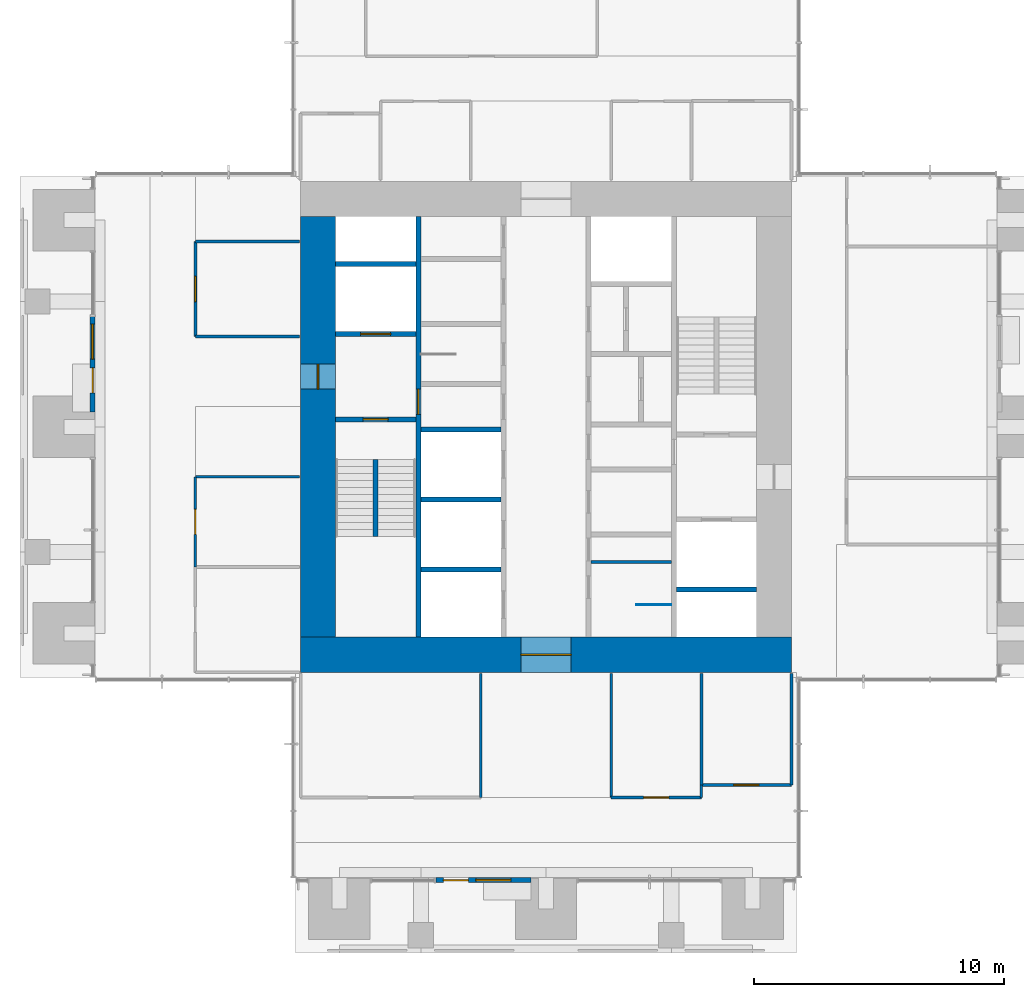
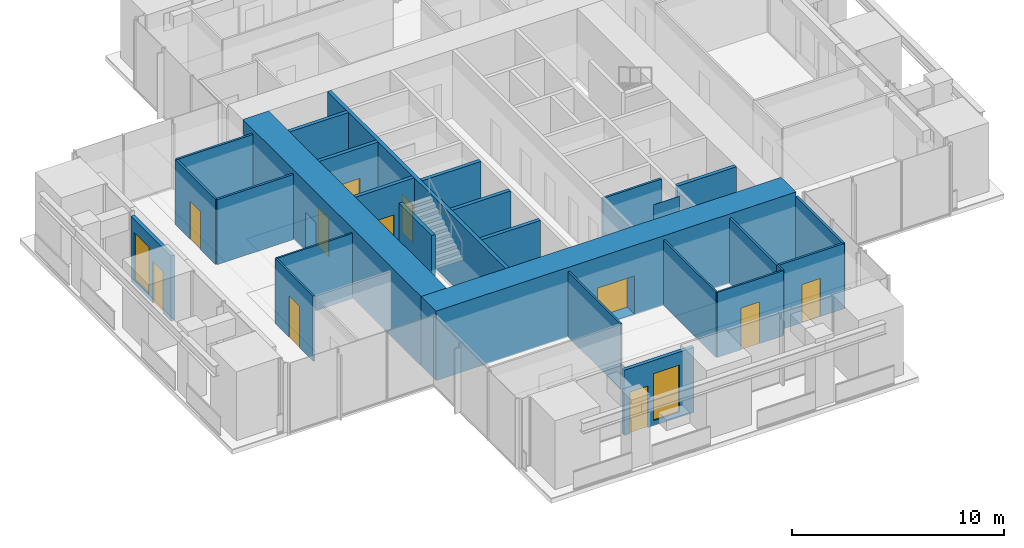
# One storey, part 12 of 17: 27 walls, 11 doors, 2 windows, 13 openings.
"""IFC4 building model written with IfcOpenShell, lengths in metres."""

from ifc_helpers import new_model, si_unit, direction, frame, frame_2d, origin, place, context, subcontext, project, spatial, rectangle, extrude, material, layer, layer_set, type_object, element, fill, save


model = new_model("IFC4")

# Units and contexts
model_context = context("Model", 3, precision=1e-05, world=origin(), true_north=direction((0.0, 1.0)))
body_context = subcontext(model_context, "Body", "Model", "MODEL_VIEW")
ifc_project = project(units=[si_unit("LENGTHUNIT", "METRE"), si_unit("AREAUNIT", "SQUARE_METRE"), si_unit("VOLUMEUNIT", "CUBIC_METRE"), si_unit("PLANEANGLEUNIT", "RADIAN"), si_unit("MASSUNIT", "GRAM", prefix="KILO")], contexts=[model_context])

# Site, building, storey
site_placement = place(None, origin())
site = spatial("IfcSite", under=ifc_project, at=site_placement, CompositionType="ELEMENT")
building_placement = place(site_placement, origin())
building = spatial("IfcBuilding", under=site, at=building_placement, Name="Svetlomir Tower", CompositionType="ELEMENT")
storey_placement = place(building_placement, frame((0.0, 0.0, 182.5)))
storey = spatial("IfcBuildingStorey", under=building, at=storey_placement, Name="L43", CompositionType="ELEMENT", Elevation=182.5)

# Wall, openings, door, window
ifc_material_1 = material(Name="Bronze anodised aluminium glazed screen", Category="aluminium")
ifc_layer_1 = layer(ifc_material_1, 0.199951171875)
ifc_layer_set_1 = layer_set([ifc_layer_1], Name="Bronze anodised aluminium glazed screen")
wall_type_1 = type_object("IfcWallType", Name="BALCONY SCREEN WALL 200", PredefinedType="USERDEFINED", material=ifc_layer_set_1)
wall_1_placement = place(storey_placement, frame((16.60009765625, 2.89990234375, 0.0), z_axis=(0.0, 0.0, 1.0), x_axis=(1.0, 0.0, 0.0)))
wall_1 = element("IfcWall", 1, at=wall_1_placement, inside=storey, type_object=wall_type_1, Name="Balcony screen S", ObjectType="GLAZED SCREEN", PredefinedType="USERDEFINED", context=body_context, shape_type="SweptSolid", body=[
    extrude(rectangle(XDim=3.7998046875, YDim=0.199951171875, at=frame_2d((1.89990234375, 0.0))), origin(), (0.0, 0.0, 1.0), 3.75),
])
opening_1_placement = place(wall_1_placement, frame((0.300048828125, 0.0, 0.0)))
opening_1 = element("IfcOpeningElement", 2, at=opening_1_placement, cuts=wall_1, Name="Opening BD", PredefinedType="OPENING", context=body_context, shape_type="SweptSolid", body=[
    extrude(rectangle(XDim=1.0, YDim=2.39990234375, at=frame_2d((0.5, 1.199951171875))), frame((0.0, 0.10986328125, 0.0), z_axis=(0.0, -1.0, 0.0), x_axis=(1.0, 0.0, 0.0)), (0.0, 0.0, 1.0), 0.219970703125),
])
opening_2_placement = place(wall_1_placement, frame((1.60009765625, 0.0, 0.300048828125)))
opening_2 = element("IfcOpeningElement", 3, at=opening_2_placement, cuts=wall_1, Name="Opening WS2", PredefinedType="OPENING", context=body_context, shape_type="SweptSolid", body=[
    extrude(rectangle(XDim=1.39990234375, YDim=2.699951171875, at=frame_2d((0.699951171875, 1.35009765625))), frame((0.0, 0.10986328125, 0.0), z_axis=(0.0, -1.0, 0.0), x_axis=(1.0, 0.0, 0.0)), (0.0, 0.0, 1.0), 0.219970703125),
])
ifc_material_2 = material(Name="Bronze anodised aluminium glazed door", Category="aluminium")
door_type_1 = type_object("IfcDoorType", Name="BALCONY DOOR BD 1000x2400", OperationType="SINGLE_SWING_LEFT", PredefinedType="DOOR", material=ifc_material_2)
door_1_placement = place(opening_1_placement, origin())
door_1 = element("IfcDoor", 4, at=door_1_placement, inside=storey, type_object=door_type_1, Name="Balcony screen S door", OperationType="SINGLE_SWING_LEFT", OverallHeight=2.39990234375, OverallWidth=1.0, PredefinedType="DOOR", context=body_context, shape_type="SweptSolid", body=[
    extrude(rectangle(XDim=1.0, YDim=2.39990234375, at=frame_2d((0.5, 1.199951171875))), frame((0.0, 0.02490234375, 0.0), z_axis=(0.0, -1.0, 0.0), x_axis=(1.0, 0.0, 0.0)), (0.0, 0.0, 1.0), 0.050048828125),
])
fill(opening_1, door_1)
ifc_material_3 = material(Name="Bronze anodised aluminium window", Category="aluminium")
window_type = type_object("IfcWindowType", Name="SCREEN WINDOW WS2 1400x2700", PartitioningType="SINGLE_PANEL", PredefinedType="WINDOW", material=ifc_material_3)
window_1_placement = place(opening_2_placement, origin())
window_1 = element("IfcWindow", 5, at=window_1_placement, inside=storey, type_object=window_type, Name="Balcony screen S window 1", OverallHeight=2.699951171875, OverallWidth=1.39990234375, PartitioningType="SINGLE_PANEL", PredefinedType="WINDOW", context=body_context, shape_type="SweptSolid", body=[
    extrude(rectangle(XDim=1.39990234375, YDim=2.699951171875, at=frame_2d((0.699951171875, 1.35009765625))), frame((0.0, 0.030029296875, 0.0), z_axis=(0.0, -1.0, 0.0), x_axis=(1.0, 0.0, 0.0)), (0.0, 0.0, 1.0), 0.06005859375),
])
fill(opening_2, window_1)

wall_2_placement = place(storey_placement, frame((2.89990234375, 25.39990234375, 0.0), z_axis=(0.0, 0.0, 1.0), x_axis=(0.0, -1.0, 0.0)))
wall_2 = element("IfcWall", 6, at=wall_2_placement, inside=storey, type_object=wall_type_1, Name="Balcony screen W", ObjectType="GLAZED SCREEN", PredefinedType="USERDEFINED", context=body_context, shape_type="SweptSolid", body=[
    extrude(rectangle(XDim=3.7998046875, YDim=0.199951171875, at=frame_2d((1.89990234375, 0.0))), origin(), (0.0, 0.0, 1.0), 3.75),
])
opening_3_placement = place(wall_2_placement, frame((2.050048828125, 0.0, 0.0)))
opening_3 = element("IfcOpeningElement", 7, at=opening_3_placement, cuts=wall_2, Name="Opening BD", PredefinedType="OPENING", context=body_context, shape_type="SweptSolid", body=[
    extrude(rectangle(XDim=1.0, YDim=2.39990234375, at=frame_2d((0.5, 1.199951171875))), frame((0.0, 0.10986328125, 0.0), z_axis=(0.0, -1.0, 0.0), x_axis=(1.0, 0.0, 0.0)), (0.0, 0.0, 1.0), 0.219970703125),
])
opening_4_placement = place(wall_2_placement, frame((0.300048828125, 0.0, 0.300048828125)))
opening_4 = element("IfcOpeningElement", 8, at=opening_4_placement, cuts=wall_2, Name="Opening WS2", PredefinedType="OPENING", context=body_context, shape_type="SweptSolid", body=[
    extrude(rectangle(XDim=1.39990234375, YDim=2.699951171875, at=frame_2d((0.699951171875, 1.35009765625))), frame((0.0, 0.10986328125, 0.0), z_axis=(0.0, -1.0, 0.0), x_axis=(1.0, 0.0, 0.0)), (0.0, 0.0, 1.0), 0.219970703125),
])
door_2_placement = place(opening_3_placement, origin())
door_2 = element("IfcDoor", 9, at=door_2_placement, inside=storey, type_object=door_type_1, Name="Balcony screen W door", OperationType="SINGLE_SWING_LEFT", OverallHeight=2.39990234375, OverallWidth=1.0, PredefinedType="DOOR", context=body_context, shape_type="SweptSolid", body=[
    extrude(rectangle(XDim=1.0, YDim=2.39990234375, at=frame_2d((0.5, 1.199951171875))), frame((0.0, 0.02490234375, 0.0), z_axis=(0.0, -1.0, 0.0), x_axis=(1.0, 0.0, 0.0)), (0.0, 0.0, 1.0), 0.050048828125),
])
fill(opening_3, door_2)
window_2_placement = place(opening_4_placement, origin())
window_2 = element("IfcWindow", 10, at=window_2_placement, inside=storey, type_object=window_type, Name="Balcony screen W window 1", OverallHeight=2.699951171875, OverallWidth=1.39990234375, PartitioningType="SINGLE_PANEL", PredefinedType="WINDOW", context=body_context, shape_type="SweptSolid", body=[
    extrude(rectangle(XDim=1.39990234375, YDim=2.699951171875, at=frame_2d((0.699951171875, 1.35009765625))), frame((0.0, 0.030029296875, 0.0), z_axis=(0.0, -1.0, 0.0), x_axis=(1.0, 0.0, 0.0)), (0.0, 0.0, 1.0), 0.06005859375),
])
fill(opening_4, window_2)

# Wall, opening, door
ifc_material_4 = material(Name="Concrete C60/75", Category="concrete")
ifc_layer_2 = layer(ifc_material_4, 0.199951171875)
ifc_layer_set_2 = layer_set([ifc_layer_2], Name="Concrete C60/75")
wall_type_2 = type_object("IfcWallType", Name="CORE INNER WALL 200", PredefinedType="SHEAR", material=ifc_layer_set_2)
wall_3_placement = place(storey_placement, frame((15.89990234375, 12.60009765625, -0.050048828125), z_axis=(0.0, 0.0, 1.0), x_axis=(0.0, 1.0, 0.0)))
wall_3 = element("IfcWall", 11, at=wall_3_placement, inside=storey, type_object=wall_type_2, Name="Core inner wall 15.9 L43", PredefinedType="SHEAR", context=body_context, shape_type="SweptSolid", body=[
    extrude(rectangle(XDim=16.7998046875, YDim=0.199951171875, at=frame_2d((8.39990234375, 0.0))), origin(), (0.0, 0.0, 1.0), 4.0),
])
opening_5_placement = place(wall_3_placement, frame((8.89990234375, 0.0, 0.050048828125)))
opening_5 = element("IfcOpeningElement", 12, at=opening_5_placement, cuts=wall_3, Name="Opening DF", PredefinedType="OPENING", context=body_context, shape_type="SweptSolid", body=[
    extrude(rectangle(XDim=1.0, YDim=2.199951171875, at=frame_2d((0.5, 1.10009765625))), frame((0.0, 0.10986328125, 0.0), z_axis=(0.0, -1.0, 0.0), x_axis=(1.0, 0.0, 0.0)), (0.0, 0.0, 1.0), 0.219970703125),
])
ifc_material_5 = material(Name="Steel fire door", Category="steel")
door_type_2 = type_object("IfcDoorType", Name="DOOR DF 1000x2200", OperationType="SINGLE_SWING_LEFT", PredefinedType="DOOR", material=ifc_material_5)
door_3_placement = place(opening_5_placement, origin())
door_3 = element("IfcDoor", 13, at=door_3_placement, inside=storey, type_object=door_type_2, Name="Core corridor west door L43", OperationType="SINGLE_SWING_LEFT", OverallHeight=2.199951171875, OverallWidth=1.0, PredefinedType="DOOR", context=body_context, shape_type="SweptSolid", body=[
    extrude(rectangle(XDim=1.0, YDim=2.199951171875, at=frame_2d((0.5, 1.10009765625))), frame((0.0, 0.02490234375, 0.0), z_axis=(0.0, -1.0, 0.0), x_axis=(1.0, 0.0, 0.0)), (0.0, 0.0, 1.0), 0.050048828125),
])
fill(opening_5, door_3)

wall_4_placement = place(storey_placement, frame((12.60009765625, 21.300048828125, -0.050048828125), z_axis=(0.0, 0.0, 1.0), x_axis=(1.0, 0.0, 0.0)))
wall_4 = element("IfcWall", 14, at=wall_4_placement, inside=storey, type_object=wall_type_2, Name="Core inner wall 12.6-15.8/21.3 L43", PredefinedType="SHEAR", context=body_context, shape_type="SweptSolid", body=[
    extrude(rectangle(XDim=3.199951171875, YDim=0.199951171875, at=frame_2d((1.60009765625, 0.0))), origin(), (0.0, 0.0, 1.0), 4.0),
])
opening_6_placement = place(wall_4_placement, frame((1.10009765625, 0.0, 0.050048828125)))
opening_6 = element("IfcOpeningElement", 15, at=opening_6_placement, cuts=wall_4, Name="Opening DF", PredefinedType="OPENING", context=body_context, shape_type="SweptSolid", body=[
    extrude(rectangle(XDim=1.0, YDim=2.199951171875, at=frame_2d((0.5, 1.10009765625))), frame((0.0, 0.10986328125, 0.0), z_axis=(0.0, -1.0, 0.0), x_axis=(1.0, 0.0, 0.0)), (0.0, 0.0, 1.0), 0.219970703125),
])
door_4_placement = place(opening_6_placement, origin())
door_4 = element("IfcDoor", 16, at=door_4_placement, inside=storey, type_object=door_type_2, Name="Stair S1 door L43", OperationType="SINGLE_SWING_RIGHT", OverallHeight=2.199951171875, OverallWidth=1.0, PredefinedType="DOOR", context=body_context, shape_type="SweptSolid", body=[
    extrude(rectangle(XDim=1.0, YDim=2.199951171875, at=frame_2d((0.5, 1.10009765625))), frame((0.0, 0.02490234375, 0.0), z_axis=(0.0, -1.0, 0.0), x_axis=(1.0, 0.0, 0.0)), (0.0, 0.0, 1.0), 0.050048828125),
])
fill(opening_6, door_4)

wall_5_placement = place(storey_placement, frame((12.60009765625, 24.699951171875, -0.050048828125), z_axis=(0.0, 0.0, 1.0), x_axis=(1.0, 0.0, 0.0)))
wall_5 = element("IfcWall", 17, at=wall_5_placement, inside=storey, type_object=wall_type_2, Name="Core inner wall 12.6-15.8/24.7 L43", PredefinedType="SHEAR", context=body_context, shape_type="SweptSolid", body=[
    extrude(rectangle(XDim=3.199951171875, YDim=0.199951171875, at=frame_2d((1.60009765625, 0.0))), origin(), (0.0, 0.0, 1.0), 4.0),
])
opening_7_placement = place(wall_5_placement, frame((1.0, 0.0, 0.050048828125)))
opening_7 = element("IfcOpeningElement", 18, at=opening_7_placement, cuts=wall_5, Name="Opening LD3", PredefinedType="OPENING", context=body_context, shape_type="SweptSolid", body=[
    extrude(rectangle(XDim=1.199951171875, YDim=2.199951171875, at=frame_2d((0.60009765625, 1.10009765625))), frame((0.0, 0.10986328125, 0.0), z_axis=(0.0, -1.0, 0.0), x_axis=(1.0, 0.0, 0.0)), (0.0, 0.0, 1.0), 0.219970703125),
])
ifc_material_6 = material(Name="Stainless steel fire-rated landing door", Category="steel")
door_type_3 = type_object("IfcDoorType", Name="FIREFIGHTING LIFT LANDING DOOR LD3 1200x2200", OperationType="DOUBLE_DOOR_SLIDING", PredefinedType="DOOR", material=ifc_material_6)
door_5_placement = place(opening_7_placement, origin())
door_5 = element("IfcDoor", 19, at=door_5_placement, inside=storey, type_object=door_type_3, Name="Landing door lift FL1 L43", OperationType="DOUBLE_DOOR_SLIDING", OverallHeight=2.199951171875, OverallWidth=1.199951171875, PredefinedType="DOOR", context=body_context, shape_type="SweptSolid", body=[
    extrude(rectangle(XDim=1.199951171875, YDim=2.199951171875, at=frame_2d((0.60009765625, 1.10009765625))), frame((0.0, 0.02490234375, 0.0), z_axis=(0.0, -1.0, 0.0), x_axis=(1.0, 0.0, 0.0)), (0.0, 0.0, 1.0), 0.050048828125),
])
fill(opening_7, door_5)

# Walls
for number, where, z_axis, x_axis, name in (
    (20, (12.60009765625, 27.5, -0.050048828125), (0.0, 0.0, 1.0), (1.0, 0.0, 0.0), "Core inner wall 12.6-15.8/27.5 L43"),
    (21, (16.0, 15.300048828125, -0.050048828125), (0.0, 0.0, 1.0), (1.0, 0.0, 0.0), "Core inner wall 16-19.2/15.3 L43"),
    (22, (16.0, 18.10009765625, -0.050048828125), (0.0, 0.0, 1.0), (1.0, 0.0, 0.0), "Core inner wall 16-19.2/18.1 L43"),
    (23, (16.0, 20.89990234375, -0.050048828125), (0.0, 0.0, 1.0), (1.0, 0.0, 0.0), "Core inner wall 16-19.2/20.9 L43"),
    (24, (26.199951171875, 14.5, -0.050048828125), (0.0, 0.0, 1.0), (1.0, 0.0, 0.0), "Core inner wall 26.2-29.4/14.5 L43"),
):
    element("IfcWall", number, at=place(storey_placement, frame(where, z_axis=z_axis, x_axis=x_axis)), inside=storey, type_object=wall_type_2, Name=name, PredefinedType="SHEAR", context=body_context, shape_type="SweptSolid", body=[
        extrude(rectangle(XDim=3.199951171875, YDim=0.199951171875, at=frame_2d((1.60009765625, 0.0))), origin(), (0.0, 0.0, 1.0), 4.0),
    ])

# Wall, opening, door
ifc_material_7 = material(Name="Concrete C60/75", Category="concrete")
ifc_layer_3 = layer(ifc_material_7, 1.39990234375)
ifc_layer_set_3 = layer_set([ifc_layer_3], Name="Concrete C60/75")
wall_type_3 = type_object("IfcWallType", Name="CORE WALL 1400", PredefinedType="SHEAR", material=ifc_layer_set_3)
wall_6_placement = place(storey_placement, frame((11.199951171875, 11.89990234375, -0.050048828125), z_axis=(0.0, 0.0, 1.0), x_axis=(1.0, 0.0, 0.0)))
wall_6 = element("IfcWall", 25, at=wall_6_placement, inside=storey, type_object=wall_type_3, Name="Core wall south L43", PredefinedType="SHEAR", context=body_context, shape_type="SweptSolid", body=[
    extrude(rectangle(XDim=19.60009765625, YDim=1.39990234375, at=frame_2d((9.800048828125, 0.0))), origin(), (0.0, 0.0, 1.0), 4.0),
])
opening_8_placement = place(wall_6_placement, frame((8.800048828125, 0.0, 0.050048828125)))
opening_8 = element("IfcOpeningElement", 26, at=opening_8_placement, cuts=wall_6, Name="Opening DL", PredefinedType="OPENING", context=body_context, shape_type="SweptSolid", body=[
    extrude(rectangle(XDim=2.0, YDim=2.199951171875, at=frame_2d((1.0, 1.10009765625))), frame((0.0, 0.7099609375, 0.0), z_axis=(0.0, -1.0, 0.0), x_axis=(1.0, 0.0, 0.0)), (0.0, 0.0, 1.0), 1.419921875),
])
ifc_material_8 = material(Name="Steel fire door", Category="steel")
door_type_4 = type_object("IfcDoorType", Name="DOOR DL 2000x2200", OperationType="DOUBLE_DOOR_SINGLE_SWING", PredefinedType="DOOR", material=ifc_material_8)
door_6_placement = place(opening_8_placement, origin())
door_6 = element("IfcDoor", 27, at=door_6_placement, inside=storey, type_object=door_type_4, Name="Lift lobby south door L43", OperationType="DOUBLE_DOOR_SINGLE_SWING", OverallHeight=2.199951171875, OverallWidth=2.0, PredefinedType="DOOR", context=body_context, shape_type="SweptSolid", body=[
    extrude(rectangle(XDim=2.0, YDim=2.199951171875, at=frame_2d((1.0, 1.10009765625))), frame((0.0, 0.02490234375, 0.0), z_axis=(0.0, -1.0, 0.0), x_axis=(1.0, 0.0, 0.0)), (0.0, 0.0, 1.0), 0.050048828125),
])
fill(opening_8, door_6)

wall_7_placement = place(storey_placement, frame((11.89990234375, 12.60009765625, -0.050048828125), z_axis=(0.0, 0.0, 1.0), x_axis=(0.0, 1.0, 0.0)))
wall_7 = element("IfcWall", 28, at=wall_7_placement, inside=storey, type_object=wall_type_3, Name="Core wall west L43", PredefinedType="SHEAR", context=body_context, shape_type="SweptSolid", body=[
    extrude(rectangle(XDim=16.7998046875, YDim=1.39990234375, at=frame_2d((8.39990234375, 0.0))), origin(), (0.0, 0.0, 1.0), 4.0),
])
opening_9_placement = place(wall_7_placement, frame((9.89990234375, 0.0, 0.050048828125)))
opening_9 = element("IfcOpeningElement", 29, at=opening_9_placement, cuts=wall_7, Name="Opening DF", PredefinedType="OPENING", context=body_context, shape_type="SweptSolid", body=[
    extrude(rectangle(XDim=1.0, YDim=2.199951171875, at=frame_2d((0.5, 1.10009765625))), frame((0.0, 0.7099609375, 0.0), z_axis=(0.0, -1.0, 0.0), x_axis=(1.0, 0.0, 0.0)), (0.0, 0.0, 1.0), 1.419921875),
])
door_7_placement = place(opening_9_placement, origin())
door_7 = element("IfcDoor", 30, at=door_7_placement, inside=storey, type_object=door_type_2, Name="Firefighting lobby west door L43", OperationType="SINGLE_SWING_RIGHT", OverallHeight=2.199951171875, OverallWidth=1.0, PredefinedType="DOOR", context=body_context, shape_type="SweptSolid", body=[
    extrude(rectangle(XDim=1.0, YDim=2.199951171875, at=frame_2d((0.5, 1.10009765625))), frame((0.0, 0.02490234375, 0.0), z_axis=(0.0, -1.0, 0.0), x_axis=(1.0, 0.0, 0.0)), (0.0, 0.0, 1.0), 0.050048828125),
])
fill(opening_9, door_7)

ifc_material_9 = material(Name="Framed laminated glass partition", Category="glass")
ifc_layer_4 = layer(ifc_material_9, 0.10009765625)
ifc_layer_set_4 = layer_set([ifc_layer_4], Name="Framed laminated glass partition")
wall_type_4 = type_object("IfcWallType", Name="GLAZED PARTITION 100", PredefinedType="PARTITIONING", material=ifc_layer_set_4)
wall_8_placement = place(storey_placement, frame((7.0, 15.39990234375, 0.0), z_axis=(0.0, 0.0, 1.0), x_axis=(0.0, 1.0, 0.0)))
wall_8 = element("IfcWall", 31, at=wall_8_placement, inside=storey, type_object=wall_type_4, Name="Glazed partition L43", PredefinedType="PARTITIONING", context=body_context, shape_type="SweptSolid", body=[
    extrude(rectangle(XDim=3.60009765625, YDim=0.10009765625, at=frame_2d((1.800048828125, 0.0))), origin(), (0.0, 0.0, 1.0), 3.75),
])
opening_10_placement = place(wall_8_placement, frame((1.300048828125, 0.0, 0.0)))
opening_10 = element("IfcOpeningElement", 32, at=opening_10_placement, cuts=wall_8, Name="Opening DG", PredefinedType="OPENING", context=body_context, shape_type="SweptSolid", body=[
    extrude(rectangle(XDim=1.0, YDim=2.39990234375, at=frame_2d((0.5, 1.199951171875))), frame((0.0, 0.06005859375, 0.0), z_axis=(0.0, -1.0, 0.0), x_axis=(1.0, 0.0, 0.0)), (0.0, 0.0, 1.0), 0.1201171875),
])
ifc_material_10 = material(Name="Framed laminated glass door", Category="glass")
door_type_5 = type_object("IfcDoorType", Name="GLAZED DOOR DG 1000x2400", OperationType="SINGLE_SWING_LEFT", PredefinedType="DOOR", material=ifc_material_10)
door_8_placement = place(opening_10_placement, origin())
door_8 = element("IfcDoor", 33, at=door_8_placement, inside=storey, type_object=door_type_5, Name="Focus room 2 door L43", OperationType="SINGLE_SWING_LEFT", OverallHeight=2.39990234375, OverallWidth=1.0, PredefinedType="DOOR", context=body_context, shape_type="SweptSolid", body=[
    extrude(rectangle(XDim=1.0, YDim=2.39990234375, at=frame_2d((0.5, 1.199951171875))), frame((0.0, 0.02490234375, 0.0), z_axis=(0.0, -1.0, 0.0), x_axis=(1.0, 0.0, 0.0)), (0.0, 0.0, 1.0), 0.050048828125),
])
fill(opening_10, door_8)

# Walls
wall_9_placement = place(storey_placement, frame((7.0, 19.0, 0.0), z_axis=(0.0, 0.0, 1.0), x_axis=(1.0, 0.0, 0.0)))
element("IfcWall", 34, at=wall_9_placement, inside=storey, type_object=wall_type_4, Name="Glazed partition L43", PredefinedType="PARTITIONING", context=body_context, shape_type="SweptSolid", body=[
    extrude(rectangle(XDim=4.14990234375, YDim=0.10009765625, at=frame_2d((2.074951171875, 0.0))), origin(), (0.0, 0.0, 1.0), 3.75),
])
for number, where, z_axis, x_axis, name in (
    (35, (18.39990234375, 6.199951171875, 0.0), (0.0, 0.0, 1.0), (0.0, 1.0, 0.0), "Glazed partition L43"),
    (36, (23.60009765625, 6.199951171875, 0.0), (0.0, 0.0, 1.0), (0.0, 1.0, 0.0), "Glazed partition L43"),
):
    element("IfcWall", number, at=place(storey_placement, frame(where, z_axis=z_axis, x_axis=x_axis)), inside=storey, type_object=wall_type_4, Name=name, PredefinedType="PARTITIONING", context=body_context, shape_type="SweptSolid", body=[
        extrude(rectangle(XDim=4.949951171875, YDim=0.10009765625, at=frame_2d((2.47509765625, 0.0))), origin(), (0.0, 0.0, 1.0), 3.75),
    ])

# Wall, opening, door
wall_10_placement = place(storey_placement, frame((23.60009765625, 6.199951171875, 0.0), z_axis=(0.0, 0.0, 1.0), x_axis=(1.0, 0.0, 0.0)))
wall_10 = element("IfcWall", 37, at=wall_10_placement, inside=storey, type_object=wall_type_4, Name="Glazed partition L43", PredefinedType="PARTITIONING", context=body_context, shape_type="SweptSolid", body=[
    extrude(rectangle(XDim=3.599853515625, YDim=0.10009765625, at=frame_2d((1.7998046875, 0.0))), origin(), (0.0, 0.0, 1.0), 3.75),
])
opening_11_placement = place(wall_10_placement, frame((1.300048828125, 0.0, 0.0)))
opening_11 = element("IfcOpeningElement", 38, at=opening_11_placement, cuts=wall_10, Name="Opening DG", PredefinedType="OPENING", context=body_context, shape_type="SweptSolid", body=[
    extrude(rectangle(XDim=1.0, YDim=2.39990234375, at=frame_2d((0.5, 1.199951171875))), frame((0.0, 0.06005859375, 0.0), z_axis=(0.0, -1.0, 0.0), x_axis=(1.0, 0.0, 0.0)), (0.0, 0.0, 1.0), 0.1201171875),
])
door_9_placement = place(opening_11_placement, origin())
door_9 = element("IfcDoor", 39, at=door_9_placement, inside=storey, type_object=door_type_5, Name="Focus room 1 door L43", OperationType="SINGLE_SWING_RIGHT", OverallHeight=2.39990234375, OverallWidth=1.0, PredefinedType="DOOR", context=body_context, shape_type="SweptSolid", body=[
    extrude(rectangle(XDim=1.0, YDim=2.39990234375, at=frame_2d((0.5, 1.199951171875))), frame((0.0, 0.02490234375, 0.0), z_axis=(0.0, -1.0, 0.0), x_axis=(1.0, 0.0, 0.0)), (0.0, 0.0, 1.0), 0.050048828125),
])
fill(opening_11, door_9)

# Walls
wall_11_placement = place(storey_placement, frame((27.199951171875, 6.199951171875, 0.0), z_axis=(0.0, 0.0, 1.0), x_axis=(0.0, 1.0, 0.0)))
element("IfcWall", 40, at=wall_11_placement, inside=storey, type_object=wall_type_4, Name="Glazed partition L43", PredefinedType="PARTITIONING", context=body_context, shape_type="SweptSolid", body=[
    extrude(rectangle(XDim=0.5, YDim=0.10009765625, at=frame_2d((0.25, 0.0))), origin(), (0.0, 0.0, 1.0), 3.75),
])
ifc_material_11 = material(Name="Gypsum board on steel studs", Category="steel")
ifc_layer_5 = layer(ifc_material_11, 0.1201171875)
ifc_layer_set_5 = layer_set([ifc_layer_5], Name="Gypsum board on steel studs")
wall_type_5 = type_object("IfcWallType", Name="PARTITION 120", PredefinedType="PARTITIONING", material=ifc_layer_set_5)
wall_12_placement = place(storey_placement, frame((22.800048828125, 15.60009765625, 0.0), z_axis=(0.0, 0.0, 1.0), x_axis=(1.0, 0.0, 0.0)))
element("IfcWall", 41, at=wall_12_placement, inside=storey, type_object=wall_type_5, Name="Shower room partition L43", PredefinedType="PARTITIONING", context=body_context, shape_type="SweptSolid", body=[
    extrude(rectangle(XDim=3.199951171875, YDim=0.1201171875, at=frame_2d((1.60009765625, 0.0))), origin(), (0.0, 0.0, 1.0), 3.75),
])

# Wall, opening, door
wall_13_placement = place(storey_placement, frame((7.0, 24.60009765625, 0.0), z_axis=(0.0, 0.0, 1.0), x_axis=(0.0, 1.0, 0.0)))
wall_13 = element("IfcWall", 42, at=wall_13_placement, inside=storey, type_object=wall_type_5, Name="Partition L43", PredefinedType="PARTITIONING", context=body_context, shape_type="SweptSolid", body=[
    extrude(rectangle(XDim=3.7998046875, YDim=0.1201171875, at=frame_2d((1.89990234375, 0.0))), origin(), (0.0, 0.0, 1.0), 3.75),
])
opening_12_placement = place(wall_13_placement, frame((1.39990234375, 0.0, 0.0)))
opening_12 = element("IfcOpeningElement", 43, at=opening_12_placement, cuts=wall_13, Name="Opening DR", PredefinedType="OPENING", context=body_context, shape_type="SweptSolid", body=[
    extrude(rectangle(XDim=1.0, YDim=2.199951171875, at=frame_2d((0.5, 1.10009765625))), frame((0.0, 0.070068359375, 0.0), z_axis=(0.0, -1.0, 0.0), x_axis=(1.0, 0.0, 0.0)), (0.0, 0.0, 1.0), 0.14013671875),
])
ifc_material_12 = material(Name="Timber door, glazed side light", Category="wood")
door_type_6 = type_object("IfcDoorType", Name="DOOR DR 1000x2200", OperationType="SINGLE_SWING_LEFT", PredefinedType="DOOR", material=ifc_material_12)
door_10_placement = place(opening_12_placement, origin())
door_10 = element("IfcDoor", 44, at=door_10_placement, inside=storey, type_object=door_type_6, Name="Data analysts office door L43", OperationType="SINGLE_SWING_RIGHT", OverallHeight=2.199951171875, OverallWidth=1.0, PredefinedType="DOOR", context=body_context, shape_type="SweptSolid", body=[
    extrude(rectangle(XDim=1.0, YDim=2.199951171875, at=frame_2d((0.5, 1.10009765625))), frame((0.0, 0.02490234375, 0.0), z_axis=(0.0, -1.0, 0.0), x_axis=(1.0, 0.0, 0.0)), (0.0, 0.0, 1.0), 0.050048828125),
])
fill(opening_12, door_10)

# Walls
for number, where, z_axis, x_axis, name in (
    (45, (7.0, 24.60009765625, 0.0), (0.0, 0.0, 1.0), (1.0, 0.0, 0.0), "Partition L43"),
    (46, (7.0, 28.39990234375, 0.0), (0.0, 0.0, 1.0), (1.0, 0.0, 0.0), "Partition L43"),
):
    element("IfcWall", number, at=place(storey_placement, frame(where, z_axis=z_axis, x_axis=x_axis)), inside=storey, type_object=wall_type_5, Name=name, PredefinedType="PARTITIONING", context=body_context, shape_type="SweptSolid", body=[
        extrude(rectangle(XDim=4.14990234375, YDim=0.1201171875, at=frame_2d((2.074951171875, 0.0))), origin(), (0.0, 0.0, 1.0), 3.75),
    ])
wall_14_placement = place(storey_placement, frame((27.199951171875, 6.699951171875, 0.0), z_axis=(0.0, 0.0, 1.0), x_axis=(0.0, 1.0, 0.0)))
element("IfcWall", 47, at=wall_14_placement, inside=storey, type_object=wall_type_5, Name="Partition L43", PredefinedType="PARTITIONING", context=body_context, shape_type="SweptSolid", body=[
    extrude(rectangle(XDim=4.449951171875, YDim=0.1201171875, at=frame_2d((2.22509765625, 0.0))), origin(), (0.0, 0.0, 1.0), 3.75),
])

# Wall, opening, door
wall_15_placement = place(storey_placement, frame((27.199951171875, 6.699951171875, 0.0), z_axis=(0.0, 0.0, 1.0), x_axis=(1.0, 0.0, 0.0)))
wall_15 = element("IfcWall", 48, at=wall_15_placement, inside=storey, type_object=wall_type_5, Name="Partition L43", PredefinedType="PARTITIONING", context=body_context, shape_type="SweptSolid", body=[
    extrude(rectangle(XDim=3.60009765625, YDim=0.1201171875, at=frame_2d((1.800048828125, 0.0))), origin(), (0.0, 0.0, 1.0), 3.75),
])
opening_13_placement = place(wall_15_placement, frame((1.300048828125, 0.0, 0.0)))
opening_13 = element("IfcOpeningElement", 49, at=opening_13_placement, cuts=wall_15, Name="Opening DR", PredefinedType="OPENING", context=body_context, shape_type="SweptSolid", body=[
    extrude(rectangle(XDim=1.0, YDim=2.199951171875, at=frame_2d((0.5, 1.10009765625))), frame((0.0, 0.070068359375, 0.0), z_axis=(0.0, -1.0, 0.0), x_axis=(1.0, 0.0, 0.0)), (0.0, 0.0, 1.0), 0.14013671875),
])
door_11_placement = place(opening_13_placement, origin())
door_11 = element("IfcDoor", 50, at=door_11_placement, inside=storey, type_object=door_type_6, Name="Print and copy room door L43", OperationType="SINGLE_SWING_LEFT", OverallHeight=2.199951171875, OverallWidth=1.0, PredefinedType="DOOR", context=body_context, shape_type="SweptSolid", body=[
    extrude(rectangle(XDim=1.0, YDim=2.199951171875, at=frame_2d((0.5, 1.10009765625))), frame((0.0, 0.02490234375, 0.0), z_axis=(0.0, -1.0, 0.0), x_axis=(1.0, 0.0, 0.0)), (0.0, 0.0, 1.0), 0.050048828125),
])
fill(opening_13, door_11)

# Walls
wall_16_placement = place(storey_placement, frame((30.800048828125, 6.699951171875, 0.0), z_axis=(0.0, 0.0, 1.0), x_axis=(0.0, 1.0, 0.0)))
element("IfcWall", 51, at=wall_16_placement, inside=storey, type_object=wall_type_5, Name="Partition L43", PredefinedType="PARTITIONING", context=body_context, shape_type="SweptSolid", body=[
    extrude(rectangle(XDim=4.449951171875, YDim=0.1201171875, at=frame_2d((2.22509765625, 0.0))), origin(), (0.0, 0.0, 1.0), 3.75),
])
ifc_material_13 = material(Name="Concrete C60/75", Category="concrete")
ifc_layer_6 = layer(ifc_material_13, 0.199951171875)
ifc_layer_set_6 = layer_set([ifc_layer_6], Name="Concrete C60/75")
wall_type_6 = type_object("IfcWallType", Name="STAIR SPINE WALL 200", PredefinedType="PARTITIONING", material=ifc_layer_set_6)
wall_17_placement = place(storey_placement, frame((14.199951171875, 16.6201171875, 0.0), z_axis=(0.0, 0.0, 1.0), x_axis=(0.0, 1.0, 0.0)))
element("IfcWall", 52, at=wall_17_placement, inside=storey, type_object=wall_type_6, Name="Stair S1 spine wall L43", PredefinedType="PARTITIONING", context=body_context, shape_type="SweptSolid", body=[
    extrude(rectangle(XDim=3.079833984375, YDim=0.199951171875, at=frame_2d((1.5400390625, 0.0))), origin(), (0.0, 0.0, 1.0), 4.0),
])
ifc_material_14 = material(Name="Compact laminate panel", Category="plastic")
ifc_layer_7 = layer(ifc_material_14, 0.030029296875)
ifc_layer_set_7 = layer_set([ifc_layer_7], Name="Compact laminate panel")
wall_type_7 = type_object("IfcWallType", Name="WC CUBICLE PARTITION 30", PredefinedType="PARTITIONING", material=ifc_layer_set_7)
wall_18_placement = place(storey_placement, frame((24.60009765625, 13.89990234375, 0.0), z_axis=(0.0, 0.0, 1.0), x_axis=(1.0, 0.0, 0.0)))
element("IfcWall", 53, at=wall_18_placement, inside=storey, type_object=wall_type_7, Name="WC cubicle partition L43", PredefinedType="PARTITIONING", context=body_context, shape_type="SweptSolid", body=[
    extrude(rectangle(XDim=1.39990234375, YDim=0.030029296875, at=frame_2d((0.699951171875, 0.0))), origin(), (0.0, 0.0, 1.0), 3.75),
])

save(model, "model.ifc")
